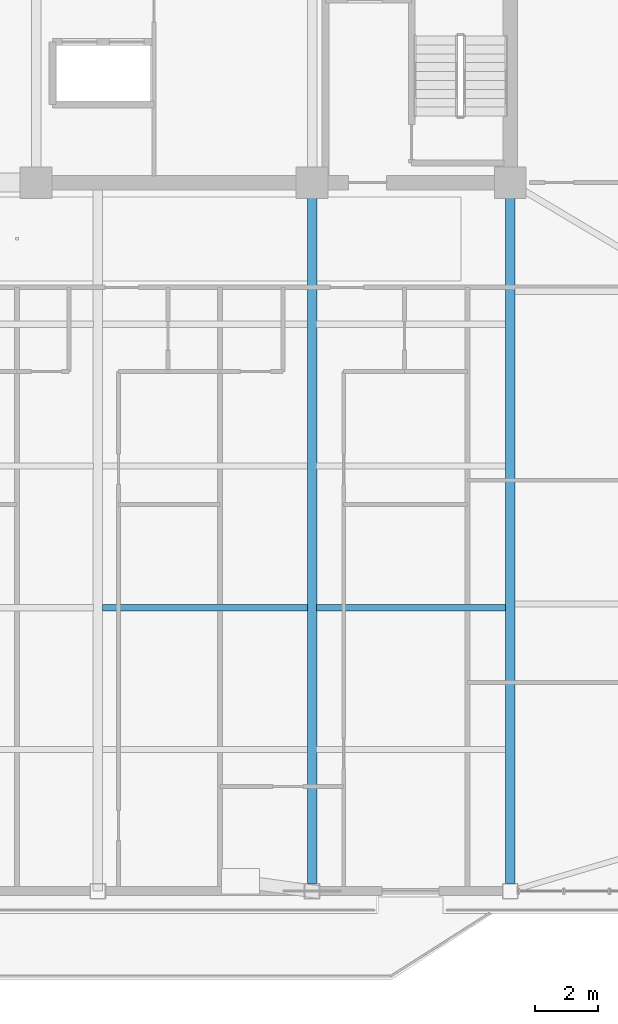
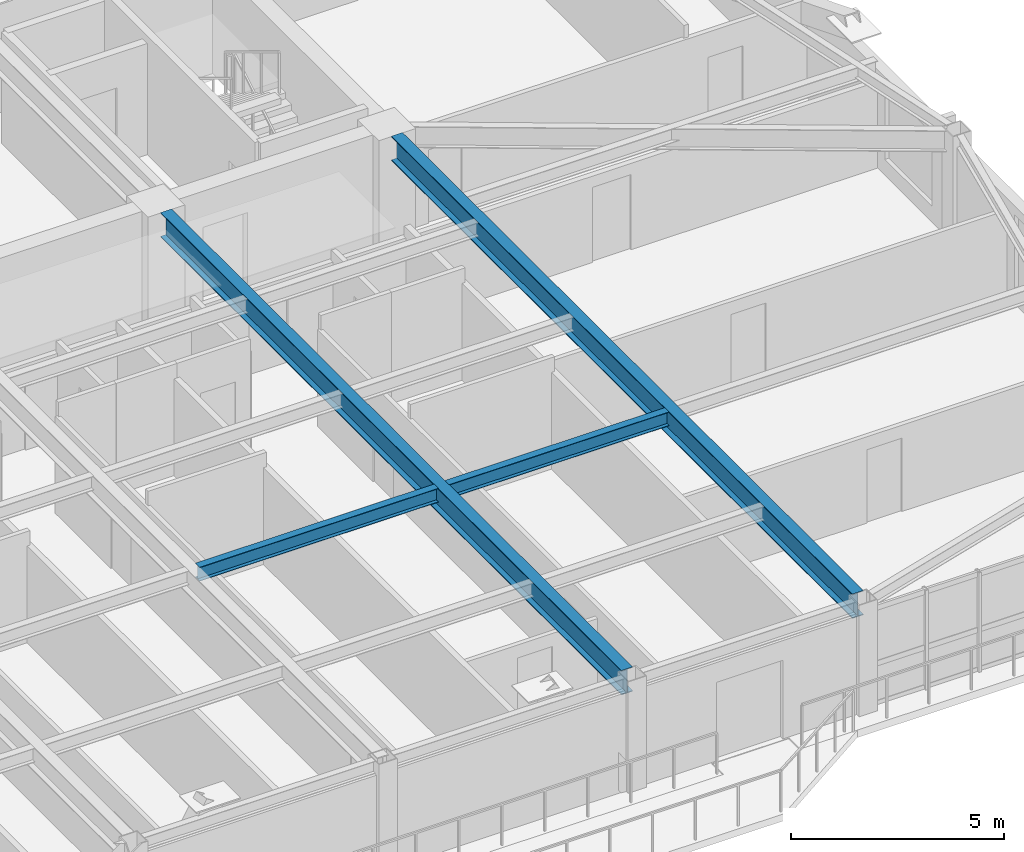
# One storey, part 5 of 17: 4 beams.
"""IFC4 building model written with IfcOpenShell, lengths in metres."""

from ifc_helpers import new_model, si_unit, direction, frame, origin, origin_2d, place, context, subcontext, project, spatial, i_section, extrude, source, transform, mapped, material, material_profile, profile_set, type_object, element, save


model = new_model("IFC4")

# Units and contexts
model_context = context("Model", 3, precision=1e-05, world=origin(), true_north=direction((0.0, 1.0)))
body_context = subcontext(model_context, "Body", "Model", "MODEL_VIEW")
ifc_project = project(units=[si_unit("LENGTHUNIT", "METRE"), si_unit("AREAUNIT", "SQUARE_METRE"), si_unit("VOLUMEUNIT", "CUBIC_METRE"), si_unit("PLANEANGLEUNIT", "RADIAN"), si_unit("MASSUNIT", "GRAM", prefix="KILO")], contexts=[model_context])

# Site, building, storey
site_placement = place(None, origin())
site = spatial("IfcSite", under=ifc_project, at=site_placement, CompositionType="ELEMENT")
building_placement = place(site_placement, origin())
building = spatial("IfcBuilding", under=site, at=building_placement, Name="Giltprow Tower", CompositionType="ELEMENT")
storey_placement = place(building_placement, frame((0.0, 0.0, 248.5)))
storey = spatial("IfcBuildingStorey", under=building, at=storey_placement, Name="L63", CompositionType="ELEMENT", Elevation=248.5)

# Beams
ifc_material = material(Name="Structural steel Q355B", Category="steel")
ifc_material_profile_1 = material_profile(ifc_material, i_section(OverallWidth=0.199951171875, OverallDepth=0.39990234375, WebThickness=0.008056640625, FlangeThickness=0.012939453125, at=origin_2d()), Name="HN 400x200x8x13")
ifc_profile_set_1 = profile_set([ifc_material_profile_1], Name="Structural steel Q355B")
beam_type_1 = type_object("IfcBeamType", Name="BM-JOIST-HN400", PredefinedType="JOIST", material=ifc_profile_set_1)
shared_shape_1 = source(origin(), body_context, "Body", "SweptSolid", [
    extrude(i_section(OverallWidth=0.199951171875, OverallDepth=0.39990234375, WebThickness=0.008056640625, FlangeThickness=0.012939453125, at=origin_2d()), origin(), (0.0, 0.0, 1.0), 6.4599609375),
])
beam_1_placement = place(storey_placement, frame((37.695068359375, 24.048095703125, 2.985107421875), z_axis=(1.0, 0.0, 0.0), x_axis=(0.0, 1.0, 0.0)))
element("IfcBeam", 1, at=beam_1_placement, inside=storey, type_object=beam_type_1, Name="L63 Composite Floor Joist 2-3", PredefinedType="JOIST", context=body_context, shape_type="MappedRepresentation", body=[
    mapped(shared_shape_1, transform((0.0, 0.0, 0.0), x_axis=(1.0, 0.0, 0.0), y_axis=(0.0, 1.0, 0.0), z_axis=(0.0, 0.0, 1.0), scale=1.0)),
])
shared_shape_2 = source(origin(), body_context, "Body", "SweptSolid", [
    extrude(i_section(OverallWidth=0.199951171875, OverallDepth=0.39990234375, WebThickness=0.008056640625, FlangeThickness=0.012939453125, at=origin_2d()), origin(), (0.0, 0.0, 1.0), 5.9599609375),
])
beam_2_placement = place(storey_placement, frame((44.445068359375, 24.048095703125, 2.985107421875), z_axis=(1.0, 0.0, 0.0), x_axis=(0.0, 1.0, 0.0)))
element("IfcBeam", 2, at=beam_2_placement, inside=storey, type_object=beam_type_1, Name="L63 Composite Floor Joist 2-4", PredefinedType="JOIST", context=body_context, shape_type="MappedRepresentation", body=[
    mapped(shared_shape_2, transform((0.0, 0.0, 0.0), x_axis=(1.0, 0.0, 0.0), y_axis=(0.0, 1.0, 0.0), z_axis=(0.0, 0.0, 1.0), scale=1.0)),
])
ifc_material_profile_2 = material_profile(ifc_material, i_section(OverallWidth=0.300048828125, OverallDepth=0.699951171875, WebThickness=0.012939453125, FlangeThickness=0.02392578125, at=origin_2d()), Name="HN 700x300x13x24")
ifc_profile_set_2 = profile_set([ifc_material_profile_2], Name="Structural steel Q355B")
beam_type_2 = type_object("IfcBeamType", Name="BM-GIRD-HN700", PredefinedType="BEAM", material=ifc_profile_set_2)
shared_shape_3 = source(origin(), body_context, "Body", "SweptSolid", [
    extrude(i_section(OverallWidth=0.300048828125, OverallDepth=0.699951171875, WebThickness=0.012939453125, FlangeThickness=0.02392578125, at=origin_2d()), origin(), (0.0, 0.0, 1.0), 21.6171875),
])
for number, where, z_axis, x_axis, name in (
    (3, (44.300048828125, 15.347900390625, 2.8349609375), (0.0, 1.0, 0.0), (-1.0, 0.0, 0.0), "L63 Primary Lease Girder S3"),
    (4, (50.550048828125, 15.347900390625, 2.8349609375), (0.0, 1.0, 0.0), (-1.0, 0.0, 0.0), "L63 Primary Lease Girder S4"),
):
    element("IfcBeam", number, at=place(storey_placement, frame(where, z_axis=z_axis, x_axis=x_axis)), inside=storey, type_object=beam_type_2, Name=name, PredefinedType="BEAM", context=body_context, shape_type="MappedRepresentation", body=[
        mapped(shared_shape_3, transform((0.0, 0.0, 0.0), x_axis=(1.0, 0.0, 0.0), y_axis=(0.0, 1.0, 0.0), z_axis=(0.0, 0.0, 1.0), scale=1.0)),
    ])

save(model, "model.ifc")
